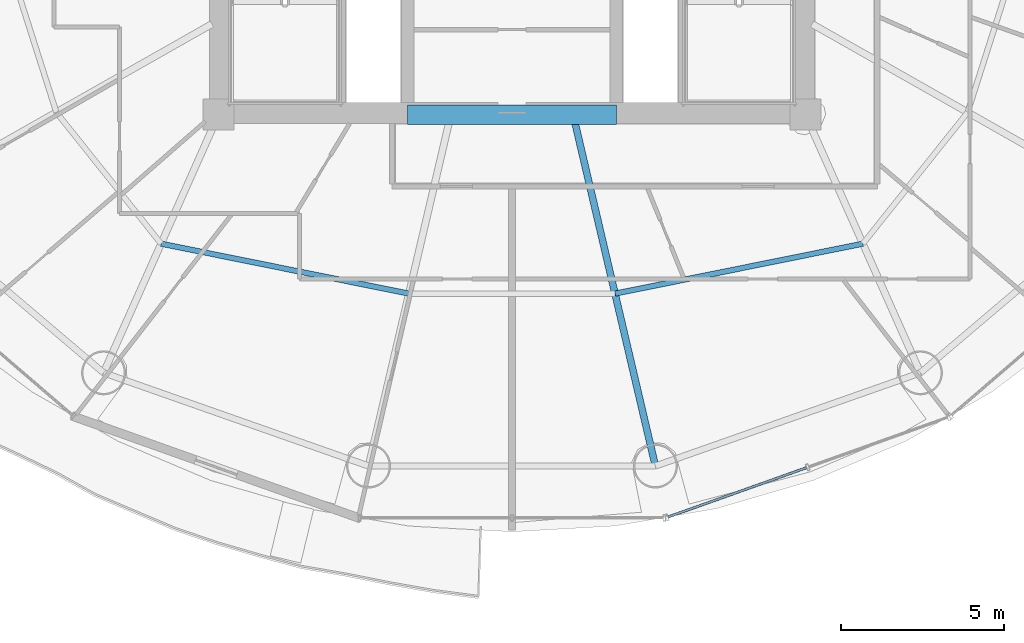
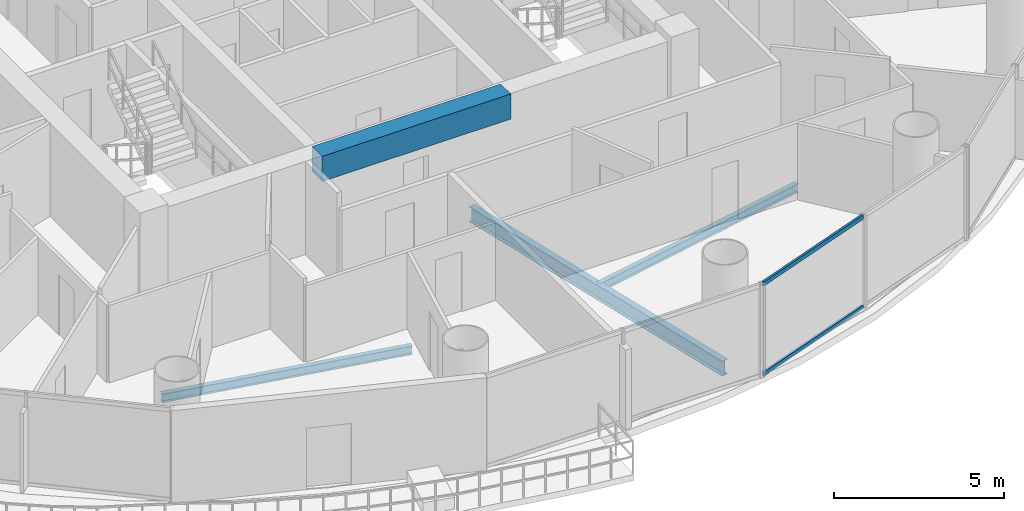
# One storey, part 6 of 27: 4 beams, 2 members, 1 element without a shape of its own.
"""IFC4 building model written with IfcOpenShell, lengths in metres."""

from ifc_helpers import new_model, si_unit, direction, frame, origin, origin_2d, place, context, subcontext, project, spatial, rectangle, hollow_rectangle, i_section, extrude, source, transform, mapped, material, material_profile, profile_set, type_object, element, aggregate, save


model = new_model("IFC4")

# Units and contexts
model_context = context("Model", 3, precision=1e-05, world=origin(), true_north=direction((-0.2419218956, 0.970295726276)))
body_context = subcontext(model_context, "Body", "Model", "MODEL_VIEW")
ifc_project = project(units=[si_unit("LENGTHUNIT", "METRE"), si_unit("AREAUNIT", "SQUARE_METRE"), si_unit("VOLUMEUNIT", "CUBIC_METRE"), si_unit("PLANEANGLEUNIT", "RADIAN"), si_unit("MASSUNIT", "GRAM", prefix="KILO")], contexts=[model_context])

# Site, building, storey
site_placement = place(None, origin())
site = spatial("IfcSite", under=ifc_project, at=site_placement, CompositionType="ELEMENT")
building_placement = place(site_placement, origin())
building = spatial("IfcBuilding", under=site, at=building_placement, Name="Cobrevalo Terracotta Tower", CompositionType="ELEMENT")
storey_placement = place(building_placement, frame((0.0, 0.0, 157.0)))
storey = spatial("IfcBuildingStorey", under=building, at=storey_placement, Name="L41", CompositionType="ELEMENT", Elevation=157.0)

# Beams
ifc_material_1 = material(Name="Concrete C60", Category="concrete")
ifc_material_profile_1 = material_profile(ifc_material_1, rectangle(XDim=0.60009765625, YDim=0.89990234375, at=origin_2d()), Name="RC CB 600x900")
ifc_profile_set_1 = profile_set([ifc_material_profile_1], Name="Concrete C60")
beam_type_1 = type_object("IfcBeamType", Name="Structural Beam RC CB 600x900 (Concrete C60)", PredefinedType="BEAM", material=ifc_profile_set_1)
beam_1_placement = place(storey_placement, frame((34.800048828125, 18.800048828125, 2.8798828125), z_axis=(1.0, 0.0, 0.0), x_axis=(0.0, 1.0, 0.0)))
element("IfcBeam", 1, at=beam_1_placement, inside=storey, type_object=beam_type_1, Name="L41 core coupling beam 1", PredefinedType="BEAM", context=body_context, shape_type="SweptSolid", body=[
    extrude(rectangle(XDim=0.60009765625, YDim=0.89990234375, at=origin_2d()), origin(), (0.0, 0.0, 1.0), 6.39990234375),
])
ifc_material_2 = material(Name="Steel S355", Category="steel")
ifc_material_profile_2 = material_profile(ifc_material_2, i_section(OverallWidth=0.2109375, OverallDepth=0.5390625, WebThickness=0.01171875, FlangeThickness=0.018798828125, at=origin_2d()), Name="W 530x109")
ifc_profile_set_2 = profile_set([ifc_material_profile_2], Name="Steel S355")
beam_type_2 = type_object("IfcBeamType", Name="Structural Beam W 530x109 (Steel S355)", PredefinedType="BEAM", material=ifc_profile_set_2)
beam_2_placement = place(storey_placement, frame((42.399169921875, 8.01806640625, -0.53955078125), z_axis=(-0.228045854186, 0.973650393308, 0.0), x_axis=(-0.973650393308, -0.228045854186, 0.0)))
element("IfcBeam", 2, at=beam_2_placement, inside=storey, type_object=beam_type_2, Name="L41 radial floor girder 13", PredefinedType="BEAM", context=body_context, shape_type="SweptSolid", body=[
    extrude(i_section(OverallWidth=0.2109375, OverallDepth=0.5390625, WebThickness=0.01171875, FlangeThickness=0.018798828125, at=origin_2d()), origin(), (0.0, 0.0, 1.0), 10.863037109375),
])
ifc_material_profile_3 = material_profile(ifc_material_2, i_section(OverallWidth=0.1650390625, OverallDepth=0.31005859375, WebThickness=0.005859375, FlangeThickness=0.009765625, at=origin_2d()), Name="W 310x38.7")
ifc_profile_set_3 = profile_set([ifc_material_profile_3], Name="Steel S355")
beam_type_3 = type_object("IfcBeamType", Name="Structural Joist W 310x38.7 (Steel S355)", PredefinedType="JOIST", material=ifc_profile_set_3)
for number, where, z_axis, x_axis, name in (
    (3, (27.23583984375, 14.838623046875, -0.425048828125), (0.980293928329, -0.197544461026, 0.0), (0.197544461026, 0.980293928329, 0.0), "L41 circumferential secondary floor joist 11"),
    (4, (41.16064453125, 13.306396484375, -0.425048828125), (0.980293928329, 0.197544461026, 0.0), (-0.197544461026, 0.980293928329, 0.0), "L41 circumferential secondary floor joist 13"),
):
    element("IfcBeam", number, at=place(storey_placement, frame(where, z_axis=z_axis, x_axis=x_axis)), inside=storey, type_object=beam_type_3, Name=name, PredefinedType="JOIST", context=body_context, shape_type="SweptSolid", body=[
        extrude(i_section(OverallWidth=0.1650390625, OverallDepth=0.31005859375, WebThickness=0.005859375, FlangeThickness=0.009765625, at=origin_2d()), origin(), (0.0, 0.0, 1.0), 7.75634765625),
    ])

# Curtain wall, members
ifc_material_3 = material(Name="Anodized aluminium", Category="aluminium")
curtain_wall_type = type_object("IfcCurtainWallType", Name="Mid-tower high-wind unitised curtain wall CW-U2", PredefinedType="NOTDEFINED", material=ifc_material_3)
curtain_wall_placement = place(storey_placement, origin())
curtain_wall = element("IfcCurtainWall", 5, at=curtain_wall_placement, inside=storey, type_object=curtain_wall_type, Name="L41 curtain wall CW-L41-S13", PredefinedType="NOTDEFINED")
ifc_material_profile_4 = material_profile(ifc_material_3, hollow_rectangle(XDim=0.074951171875, YDim=0.14990234375, WallThickness=0.00439453125, at=origin_2d()), Name="CWT 75x150")
ifc_profile_set_4 = profile_set([ifc_material_profile_4], Name="Anodized aluminium")
member_type = type_object("IfcMemberType", Name="Tower unitised aluminium transom 75x150", PredefinedType="USERDEFINED", material=ifc_profile_set_4)
shared_shape = source(origin(), body_context, "Body", "SweptSolid", [
    extrude(hollow_rectangle(XDim=0.074951171875, YDim=0.14990234375, WallThickness=0.00439453125, at=origin_2d()), origin(), (0.0, 0.0, 1.0), 4.50390625),
])
member_1_placement = place(storey_placement, frame((42.790771484375, 6.455810546875, 0.050048828125), z_axis=(0.942087248155, 0.335367882873, 0.0), x_axis=(-0.335367882873, 0.942087248155, 0.0)))
member_1 = element("IfcMember", 6, at=member_1_placement, type_object=member_type, Name="CW-L41-S13 transom B01-T1", ObjectType="TRANSOM", PredefinedType="USERDEFINED", context=body_context, shape_type="MappedRepresentation", body=[
    mapped(shared_shape, transform((0.0, 0.0, 0.0), scale=1.0)),
])
member_2_placement = place(storey_placement, frame((42.790771484375, 6.455810546875, 3.280029296875), z_axis=(0.942087248155, 0.335367882873, 0.0), x_axis=(-0.335367882873, 0.942087248155, 0.0)))
member_2 = element("IfcMember", 7, at=member_2_placement, type_object=member_type, Name="CW-L41-S13 transom B01-T2", ObjectType="TRANSOM", PredefinedType="USERDEFINED", context=body_context, shape_type="MappedRepresentation", body=[
    mapped(shared_shape, transform((0.0, 0.0, 0.0), scale=1.0)),
])
aggregate(curtain_wall, [member_1, member_2])

save(model, "model.ifc")
